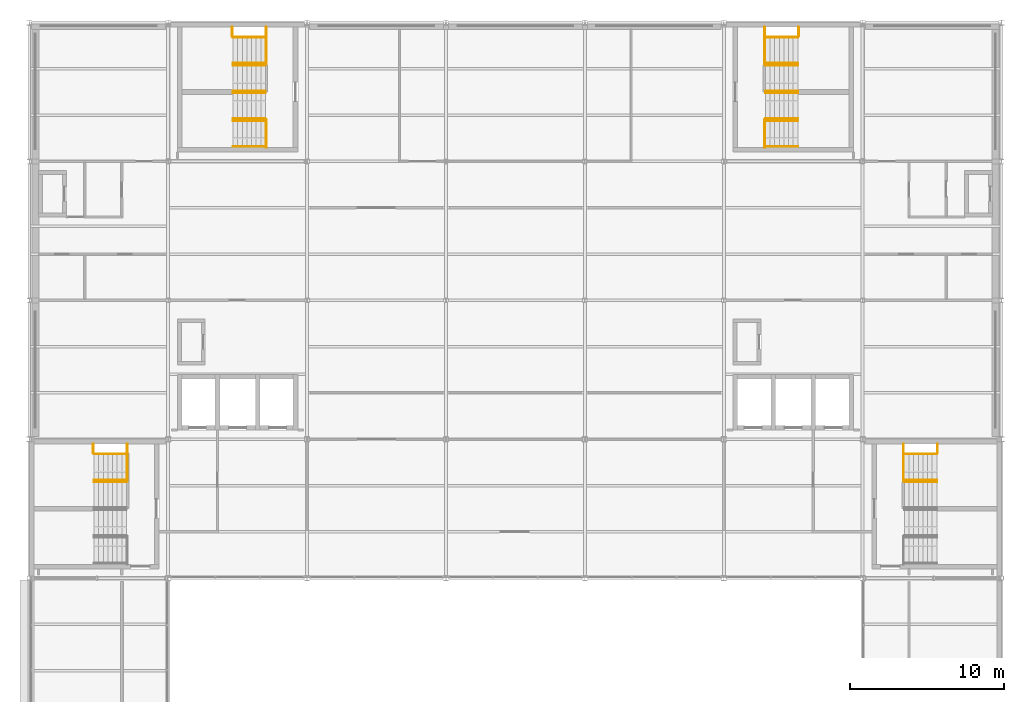
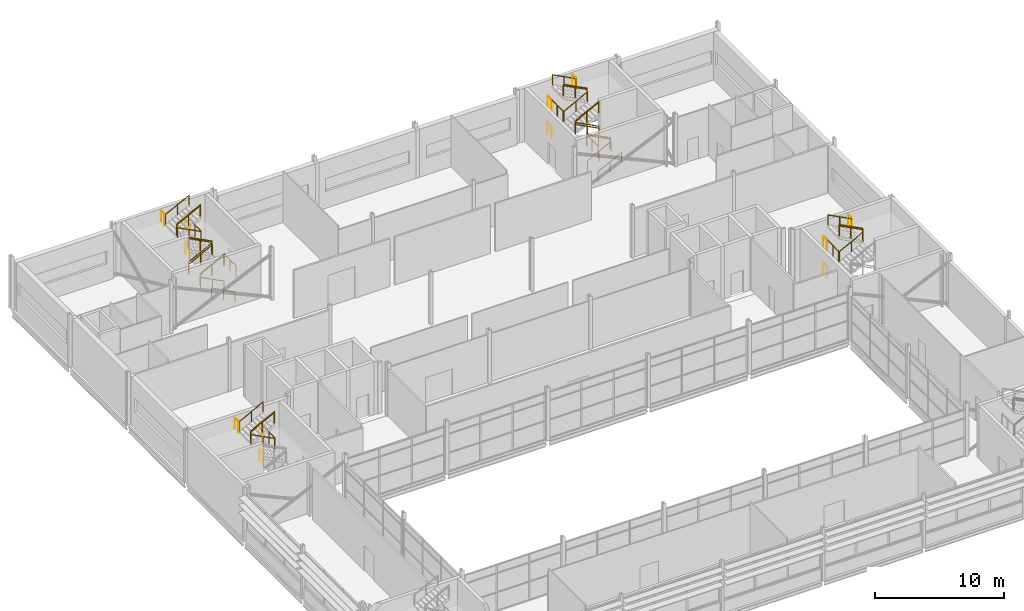
# One storey, part 61 of 61: 50 railings.
"""IFC4 building model written with IfcOpenShell, lengths in metres."""

from ifc_helpers import new_model, si_unit, direction, frame, origin, origin_2d, place, context, subcontext, project, spatial, circle, extrude, material, type_object, element, save


model = new_model("IFC4")

# Units and contexts
model_context = context("Model", 3, precision=1e-05, world=origin(), true_north=direction((0.0, 1.0)))
body_context = subcontext(model_context, "Body", "Model", "MODEL_VIEW")
ifc_project = project(units=[si_unit("LENGTHUNIT", "METRE"), si_unit("AREAUNIT", "SQUARE_METRE"), si_unit("VOLUMEUNIT", "CUBIC_METRE"), si_unit("PLANEANGLEUNIT", "RADIAN"), si_unit("MASSUNIT", "GRAM", prefix="KILO")], contexts=[model_context])

# Site, building, storey
site_placement = place(None, origin())
site = spatial("IfcSite", under=ifc_project, at=site_placement, CompositionType="ELEMENT")
building_placement = place(site_placement, origin())
building = spatial("IfcBuilding", under=site, at=building_placement, Name="Shorebreak Coast Museum", CompositionType="ELEMENT")
storey_placement = place(building_placement, frame((0.0, 0.0, 26.0)))
storey = spatial("IfcBuildingStorey", under=building, at=storey_placement, Name="L04", CompositionType="ELEMENT", Elevation=26.0)

# Railings
ifc_material_1 = material(Name="Steel Grade 300", Category="steel")
railing_type_1 = type_object("IfcRailingType", Name="Stair guard 1100", PredefinedType="GUARDRAIL", material=ifc_material_1)
railing_1_placement = place(storey_placement, frame((60.35009765625, 87.300048828125, 2.5)))
element("IfcRailing", 1, at=railing_1_placement, inside=storey, type_object=railing_type_1, Name="Guard ST03 L04 landing mid1", PredefinedType="GUARDRAIL", context=body_context, shape_type="SweptSolid", body=[
    extrude(circle(Radius=0.02490234375, at=origin_2d()), frame((0.0, 0.0, 1.0751953125), z_axis=(0.0, 1.0, 0.0), x_axis=(-1.0, 0.0, 0.0)), (0.0, 0.0, 1.0), 1.800048828125),
    extrude(circle(Radius=0.02001953125, at=origin_2d()), origin(), (0.0, 0.0, 1.0), 1.050048828125),
    extrude(circle(Radius=0.02001953125, at=origin_2d()), frame((0.0, 0.89990234375, 0.0)), (0.0, 0.0, 1.0), 1.050048828125),
    extrude(circle(Radius=0.02001953125, at=origin_2d()), frame((0.0, 1.800048828125, 0.0)), (0.0, 0.0, 1.0), 1.050048828125),
])
for number, where, name in (
    (2, (60.35009765625, 89.10009765625, 0.0), "Guard ST03 L04 landing strip"),
    (3, (60.35009765625, 89.10009765625, 2.5), "Guard ST03 L04 landing strip"),
    (4, (58.14990234375, 89.10009765625, 3.75), "Guard ST03 L04 landing strip"),
):
    element("IfcRailing", number, at=place(storey_placement, frame(where)), inside=storey, type_object=railing_type_1, Name=name, PredefinedType="GUARDRAIL", context=body_context, shape_type="SweptSolid", body=[
        extrude(circle(Radius=0.02490234375, at=origin_2d()), frame((0.0, 0.0, 1.0751953125), z_axis=(0.0, 1.0, 0.0), x_axis=(-1.0, 0.0, 0.0)), (0.0, 0.0, 1.0), 0.599853515625),
        extrude(circle(Radius=0.02001953125, at=origin_2d()), origin(), (0.0, 0.0, 1.0), 1.050048828125),
        extrude(circle(Radius=0.02001953125, at=origin_2d()), frame((0.0, 0.599853515625, 0.0)), (0.0, 0.0, 1.0), 1.050048828125),
    ])
railing_2_placement = place(storey_placement, frame((58.199951171875, 87.300048828125, 3.90625)))
element("IfcRailing", 5, at=railing_2_placement, inside=storey, type_object=railing_type_1, Name="Guard ST03-L04 well 2", PredefinedType="GUARDRAIL", context=body_context, shape_type="SweptSolid", body=[
    extrude(circle(Radius=0.02490234375, at=origin_2d()), frame((0.0, 0.0, 1.0751953125), z_axis=(0.8869228845, 0.0, 0.461917521804), x_axis=(0.0, 1.0, 0.0)), (0.0, 0.0, 1.0), 2.367919921875),
    extrude(circle(Radius=0.02001953125, at=origin_2d()), origin(), (0.0, 0.0, 1.0), 1.050048828125),
    extrude(circle(Radius=0.02001953125, at=origin_2d()), frame((1.050048828125, 0.0, 0.546875)), (0.0, 0.0, 1.0), 1.050048828125),
    extrude(circle(Radius=0.02001953125, at=origin_2d()), frame((2.10009765625, 0.0, 1.09375)), (0.0, 0.0, 1.0), 1.050048828125),
])
railing_3_placement = place(storey_placement, frame((110.64990234375, 87.300048828125, 2.5)))
element("IfcRailing", 6, at=railing_3_placement, inside=storey, type_object=railing_type_1, Name="Guard ST04 L04 landing mid1", PredefinedType="GUARDRAIL", context=body_context, shape_type="SweptSolid", body=[
    extrude(circle(Radius=0.02490234375, at=origin_2d()), frame((0.0, 0.0, 1.0751953125), z_axis=(0.0, 1.0, 0.0), x_axis=(-1.0, 0.0, 0.0)), (0.0, 0.0, 1.0), 1.800048828125),
    extrude(circle(Radius=0.02001953125, at=origin_2d()), origin(), (0.0, 0.0, 1.0), 1.050048828125),
    extrude(circle(Radius=0.02001953125, at=origin_2d()), frame((0.0, 0.89990234375, 0.0)), (0.0, 0.0, 1.0), 1.050048828125),
    extrude(circle(Radius=0.02001953125, at=origin_2d()), frame((0.0, 1.800048828125, 0.0)), (0.0, 0.0, 1.0), 1.050048828125),
])
for number, where, name in (
    (7, (110.64990234375, 89.10009765625, 0.0), "Guard ST04 L04 landing strip"),
    (8, (110.64990234375, 89.10009765625, 2.5), "Guard ST04 L04 landing strip"),
    (9, (112.85009765625, 89.10009765625, 3.75), "Guard ST04 L04 landing strip"),
):
    element("IfcRailing", number, at=place(storey_placement, frame(where)), inside=storey, type_object=railing_type_1, Name=name, PredefinedType="GUARDRAIL", context=body_context, shape_type="SweptSolid", body=[
        extrude(circle(Radius=0.02490234375, at=origin_2d()), frame((0.0, 0.0, 1.0751953125), z_axis=(0.0, 1.0, 0.0), x_axis=(-1.0, 0.0, 0.0)), (0.0, 0.0, 1.0), 0.599853515625),
        extrude(circle(Radius=0.02001953125, at=origin_2d()), origin(), (0.0, 0.0, 1.0), 1.050048828125),
        extrude(circle(Radius=0.02001953125, at=origin_2d()), frame((0.0, 0.599853515625, 0.0)), (0.0, 0.0, 1.0), 1.050048828125),
    ])
railing_4_placement = place(storey_placement, frame((112.800048828125, 87.300048828125, 3.90625)))
element("IfcRailing", 10, at=railing_4_placement, inside=storey, type_object=railing_type_1, Name="Guard ST04-L04 well 2", PredefinedType="GUARDRAIL", context=body_context, shape_type="SweptSolid", body=[
    extrude(circle(Radius=0.02490234375, at=origin_2d()), frame((0.0, 0.0, 1.0751953125), z_axis=(-0.8869228845, 0.0, 0.461917521804), x_axis=(0.0, -1.0, 0.0)), (0.0, 0.0, 1.0), 2.367919921875),
    extrude(circle(Radius=0.02001953125, at=origin_2d()), origin(), (0.0, 0.0, 1.0), 1.050048828125),
    extrude(circle(Radius=0.02001953125, at=origin_2d()), frame((-1.050048828125, 0.0, 0.546875)), (0.0, 0.0, 1.0), 1.050048828125),
    extrude(circle(Radius=0.02001953125, at=origin_2d()), frame((-2.10009765625, 0.0, 1.09375)), (0.0, 0.0, 1.0), 1.050048828125),
])
for number, where, name in (
    (11, (69.35009765625, 108.89990234375, 2.5), "Guard ST09 L04 landing mid1"),
    (12, (69.35009765625, 114.300048828125, 2.5), "Guard ST09 L04 landing mid1"),
):
    element("IfcRailing", number, at=place(storey_placement, frame(where)), inside=storey, type_object=railing_type_1, Name=name, PredefinedType="GUARDRAIL", context=body_context, shape_type="SweptSolid", body=[
        extrude(circle(Radius=0.02490234375, at=origin_2d()), frame((0.0, 0.0, 1.0751953125), z_axis=(0.0, 1.0, 0.0), x_axis=(-1.0, 0.0, 0.0)), (0.0, 0.0, 1.0), 1.800048828125),
        extrude(circle(Radius=0.02001953125, at=origin_2d()), origin(), (0.0, 0.0, 1.0), 1.050048828125),
        extrude(circle(Radius=0.02001953125, at=origin_2d()), frame((0.0, 0.89990234375, 0.0)), (0.0, 0.0, 1.0), 1.050048828125),
        extrude(circle(Radius=0.02001953125, at=origin_2d()), frame((0.0, 1.800048828125, 0.0)), (0.0, 0.0, 1.0), 1.050048828125),
    ])
for number, where, name in (
    (13, (69.35009765625, 116.10009765625, 0.0), "Guard ST09 L04 landing strip"),
    (14, (69.35009765625, 116.10009765625, 2.5), "Guard ST09 L04 landing strip"),
    (15, (67.14990234375, 116.10009765625, 3.75), "Guard ST09 L04 landing strip"),
):
    element("IfcRailing", number, at=place(storey_placement, frame(where)), inside=storey, type_object=railing_type_1, Name=name, PredefinedType="GUARDRAIL", context=body_context, shape_type="SweptSolid", body=[
        extrude(circle(Radius=0.02490234375, at=origin_2d()), frame((0.0, 0.0, 1.0751953125), z_axis=(0.0, 1.0, 0.0), x_axis=(-1.0, 0.0, 0.0)), (0.0, 0.0, 1.0), 0.599853515625),
        extrude(circle(Radius=0.02001953125, at=origin_2d()), origin(), (0.0, 0.0, 1.0), 1.050048828125),
        extrude(circle(Radius=0.02001953125, at=origin_2d()), frame((0.0, 0.599853515625, 0.0)), (0.0, 0.0, 1.0), 1.050048828125),
    ])
for number, where, name in (
    (16, (67.199951171875, 110.699951171875, 1.40625), "Guard ST09-L04 well 1"),
    (17, (67.199951171875, 114.300048828125, 3.90625), "Guard ST09-L04 well 2"),
    (18, (67.199951171875, 112.5, 1.40625), "Guard ST09-L04 side 1"),
):
    element("IfcRailing", number, at=place(storey_placement, frame(where)), inside=storey, type_object=railing_type_1, Name=name, PredefinedType="GUARDRAIL", context=body_context, shape_type="SweptSolid", body=[
        extrude(circle(Radius=0.02490234375, at=origin_2d()), frame((0.0, 0.0, 1.0751953125), z_axis=(0.8869228845, 0.0, 0.461917521804), x_axis=(0.0, 1.0, 0.0)), (0.0, 0.0, 1.0), 2.367919921875),
        extrude(circle(Radius=0.02001953125, at=origin_2d()), origin(), (0.0, 0.0, 1.0), 1.050048828125),
        extrude(circle(Radius=0.02001953125, at=origin_2d()), frame((1.050048828125, 0.0, 0.546875)), (0.0, 0.0, 1.0), 1.050048828125),
        extrude(circle(Radius=0.02001953125, at=origin_2d()), frame((2.10009765625, 0.0, 1.09375)), (0.0, 0.0, 1.0), 1.050048828125),
    ])
railing_5_placement = place(storey_placement, frame((69.300048828125, 112.5, 2.65625)))
element("IfcRailing", 19, at=railing_5_placement, inside=storey, type_object=railing_type_1, Name="Guard ST09-L04 side 2", PredefinedType="GUARDRAIL", context=body_context, shape_type="SweptSolid", body=[
    extrude(circle(Radius=0.02490234375, at=origin_2d()), frame((0.0, 0.0, 1.0751953125), z_axis=(-0.8869228845, 0.0, 0.461917521804), x_axis=(0.0, -1.0, 0.0)), (0.0, 0.0, 1.0), 2.367919921875),
    extrude(circle(Radius=0.02001953125, at=origin_2d()), origin(), (0.0, 0.0, 1.0), 1.050048828125),
    extrude(circle(Radius=0.02001953125, at=origin_2d()), frame((-1.050048828125, 0.0, 0.546875)), (0.0, 0.0, 1.0), 1.050048828125),
    extrude(circle(Radius=0.02001953125, at=origin_2d()), frame((-2.10009765625, 0.0, 1.09375)), (0.0, 0.0, 1.0), 1.050048828125),
])
for number, where, name in (
    (20, (101.64990234375, 108.89990234375, 2.5), "Guard ST10 L04 landing mid1"),
    (21, (101.64990234375, 114.300048828125, 2.5), "Guard ST10 L04 landing mid1"),
):
    element("IfcRailing", number, at=place(storey_placement, frame(where)), inside=storey, type_object=railing_type_1, Name=name, PredefinedType="GUARDRAIL", context=body_context, shape_type="SweptSolid", body=[
        extrude(circle(Radius=0.02490234375, at=origin_2d()), frame((0.0, 0.0, 1.0751953125), z_axis=(0.0, 1.0, 0.0), x_axis=(-1.0, 0.0, 0.0)), (0.0, 0.0, 1.0), 1.800048828125),
        extrude(circle(Radius=0.02001953125, at=origin_2d()), origin(), (0.0, 0.0, 1.0), 1.050048828125),
        extrude(circle(Radius=0.02001953125, at=origin_2d()), frame((0.0, 0.89990234375, 0.0)), (0.0, 0.0, 1.0), 1.050048828125),
        extrude(circle(Radius=0.02001953125, at=origin_2d()), frame((0.0, 1.800048828125, 0.0)), (0.0, 0.0, 1.0), 1.050048828125),
    ])
for number, where, name in (
    (22, (101.64990234375, 116.10009765625, 0.0), "Guard ST10 L04 landing strip"),
    (23, (101.64990234375, 116.10009765625, 2.5), "Guard ST10 L04 landing strip"),
    (24, (103.85009765625, 116.10009765625, 3.75), "Guard ST10 L04 landing strip"),
):
    element("IfcRailing", number, at=place(storey_placement, frame(where)), inside=storey, type_object=railing_type_1, Name=name, PredefinedType="GUARDRAIL", context=body_context, shape_type="SweptSolid", body=[
        extrude(circle(Radius=0.02490234375, at=origin_2d()), frame((0.0, 0.0, 1.0751953125), z_axis=(0.0, 1.0, 0.0), x_axis=(-1.0, 0.0, 0.0)), (0.0, 0.0, 1.0), 0.599853515625),
        extrude(circle(Radius=0.02001953125, at=origin_2d()), origin(), (0.0, 0.0, 1.0), 1.050048828125),
        extrude(circle(Radius=0.02001953125, at=origin_2d()), frame((0.0, 0.599853515625, 0.0)), (0.0, 0.0, 1.0), 1.050048828125),
    ])
for number, where, name in (
    (25, (103.800048828125, 110.699951171875, 1.40625), "Guard ST10-L04 well 1"),
    (26, (103.800048828125, 114.300048828125, 3.90625), "Guard ST10-L04 well 2"),
    (27, (103.800048828125, 112.5, 1.40625), "Guard ST10-L04 side 1"),
):
    element("IfcRailing", number, at=place(storey_placement, frame(where)), inside=storey, type_object=railing_type_1, Name=name, PredefinedType="GUARDRAIL", context=body_context, shape_type="SweptSolid", body=[
        extrude(circle(Radius=0.02490234375, at=origin_2d()), frame((0.0, 0.0, 1.0751953125), z_axis=(-0.8869228845, 0.0, 0.461917521804), x_axis=(0.0, -1.0, 0.0)), (0.0, 0.0, 1.0), 2.367919921875),
        extrude(circle(Radius=0.02001953125, at=origin_2d()), origin(), (0.0, 0.0, 1.0), 1.050048828125),
        extrude(circle(Radius=0.02001953125, at=origin_2d()), frame((-1.050048828125, 0.0, 0.546875)), (0.0, 0.0, 1.0), 1.050048828125),
        extrude(circle(Radius=0.02001953125, at=origin_2d()), frame((-2.10009765625, 0.0, 1.09375)), (0.0, 0.0, 1.0), 1.050048828125),
    ])
railing_6_placement = place(storey_placement, frame((101.699951171875, 112.5, 2.65625)))
element("IfcRailing", 28, at=railing_6_placement, inside=storey, type_object=railing_type_1, Name="Guard ST10-L04 side 2", PredefinedType="GUARDRAIL", context=body_context, shape_type="SweptSolid", body=[
    extrude(circle(Radius=0.02490234375, at=origin_2d()), frame((0.0, 0.0, 1.0751953125), z_axis=(0.8869228845, 0.0, 0.461917521804), x_axis=(0.0, 1.0, 0.0)), (0.0, 0.0, 1.0), 2.367919921875),
    extrude(circle(Radius=0.02001953125, at=origin_2d()), origin(), (0.0, 0.0, 1.0), 1.050048828125),
    extrude(circle(Radius=0.02001953125, at=origin_2d()), frame((1.050048828125, 0.0, 0.546875)), (0.0, 0.0, 1.0), 1.050048828125),
    extrude(circle(Radius=0.02001953125, at=origin_2d()), frame((2.10009765625, 0.0, 1.09375)), (0.0, 0.0, 1.0), 1.050048828125),
])
ifc_material_2 = material(Name="Steel Grade 300", Category="steel")
railing_type_2 = type_object("IfcRailingType", Name="Stair handrail 950", PredefinedType="HANDRAIL", material=ifc_material_2)
railing_7_placement = place(storey_placement, frame((60.300048828125, 87.239990234375, 2.65625)))
element("IfcRailing", 29, at=railing_7_placement, inside=storey, type_object=railing_type_2, Name="Handrail ST03-L04 flight 3b", PredefinedType="HANDRAIL", context=body_context, shape_type="SweptSolid", body=[
    extrude(circle(Radius=0.02490234375, at=origin_2d()), frame((0.0, 0.0, 0.9248046875), z_axis=(-0.8869228845, 0.0, 0.461917521804), x_axis=(0.0, -1.0, 0.0)), (0.0, 0.0, 1.0), 2.367919921875),
    extrude(circle(Radius=0.02001953125, at=origin_2d()), origin(), (0.0, 0.0, 1.0), 0.89990234375),
    extrude(circle(Radius=0.02001953125, at=origin_2d()), frame((-1.050048828125, 0.0, 0.546875)), (0.0, 0.0, 1.0), 0.89990234375),
    extrude(circle(Radius=0.02001953125, at=origin_2d()), frame((-2.10009765625, 0.0, 1.09375)), (0.0, 0.0, 1.0), 0.89990234375),
])
for number, where, name in (
    (30, (58.199951171875, 87.360107421875, 3.90625), "Handrail ST03-L04 flight 4a"),
    (31, (58.199951171875, 89.0400390625, 3.90625), "Handrail ST03-L04 flight 4b"),
    (32, (110.699951171875, 87.239990234375, 2.65625), "Handrail ST04-L04 flight 3b"),
):
    element("IfcRailing", number, at=place(storey_placement, frame(where)), inside=storey, type_object=railing_type_2, Name=name, PredefinedType="HANDRAIL", context=body_context, shape_type="SweptSolid", body=[
        extrude(circle(Radius=0.02490234375, at=origin_2d()), frame((0.0, 0.0, 0.9248046875), z_axis=(0.8869228845, 0.0, 0.461917521804), x_axis=(0.0, 1.0, 0.0)), (0.0, 0.0, 1.0), 2.367919921875),
        extrude(circle(Radius=0.02001953125, at=origin_2d()), origin(), (0.0, 0.0, 1.0), 0.89990234375),
        extrude(circle(Radius=0.02001953125, at=origin_2d()), frame((1.050048828125, 0.0, 0.546875)), (0.0, 0.0, 1.0), 0.89990234375),
        extrude(circle(Radius=0.02001953125, at=origin_2d()), frame((2.10009765625, 0.0, 1.09375)), (0.0, 0.0, 1.0), 0.89990234375),
    ])
for number, where, name in (
    (33, (112.800048828125, 87.360107421875, 3.90625), "Handrail ST04-L04 flight 4a"),
    (34, (112.800048828125, 89.0400390625, 3.90625), "Handrail ST04-L04 flight 4b"),
    (35, (69.300048828125, 108.9599609375, 0.15625), "Handrail ST09-L04 flight 1a"),
    (36, (69.300048828125, 110.639892578125, 0.15625), "Handrail ST09-L04 flight 1b"),
):
    element("IfcRailing", number, at=place(storey_placement, frame(where)), inside=storey, type_object=railing_type_2, Name=name, PredefinedType="HANDRAIL", context=body_context, shape_type="SweptSolid", body=[
        extrude(circle(Radius=0.02490234375, at=origin_2d()), frame((0.0, 0.0, 0.9248046875), z_axis=(-0.8869228845, 0.0, 0.461917521804), x_axis=(0.0, -1.0, 0.0)), (0.0, 0.0, 1.0), 2.367919921875),
        extrude(circle(Radius=0.02001953125, at=origin_2d()), origin(), (0.0, 0.0, 1.0), 0.89990234375),
        extrude(circle(Radius=0.02001953125, at=origin_2d()), frame((-1.050048828125, 0.0, 0.546875)), (0.0, 0.0, 1.0), 0.89990234375),
        extrude(circle(Radius=0.02001953125, at=origin_2d()), frame((-2.10009765625, 0.0, 1.09375)), (0.0, 0.0, 1.0), 0.89990234375),
    ])
for number, where, name in (
    (37, (67.199951171875, 110.760009765625, 1.40625), "Handrail ST09-L04 flight 2a"),
    (38, (67.199951171875, 112.43994140625, 1.40625), "Handrail ST09-L04 flight 2b"),
):
    element("IfcRailing", number, at=place(storey_placement, frame(where)), inside=storey, type_object=railing_type_2, Name=name, PredefinedType="HANDRAIL", context=body_context, shape_type="SweptSolid", body=[
        extrude(circle(Radius=0.02490234375, at=origin_2d()), frame((0.0, 0.0, 0.9248046875), z_axis=(0.8869228845, 0.0, 0.461917521804), x_axis=(0.0, 1.0, 0.0)), (0.0, 0.0, 1.0), 2.367919921875),
        extrude(circle(Radius=0.02001953125, at=origin_2d()), origin(), (0.0, 0.0, 1.0), 0.89990234375),
        extrude(circle(Radius=0.02001953125, at=origin_2d()), frame((1.050048828125, 0.0, 0.546875)), (0.0, 0.0, 1.0), 0.89990234375),
        extrude(circle(Radius=0.02001953125, at=origin_2d()), frame((2.10009765625, 0.0, 1.09375)), (0.0, 0.0, 1.0), 0.89990234375),
    ])
for number, where, name in (
    (39, (69.300048828125, 112.56005859375, 2.65625), "Handrail ST09-L04 flight 3a"),
    (40, (69.300048828125, 114.239990234375, 2.65625), "Handrail ST09-L04 flight 3b"),
):
    element("IfcRailing", number, at=place(storey_placement, frame(where)), inside=storey, type_object=railing_type_2, Name=name, PredefinedType="HANDRAIL", context=body_context, shape_type="SweptSolid", body=[
        extrude(circle(Radius=0.02490234375, at=origin_2d()), frame((0.0, 0.0, 0.9248046875), z_axis=(-0.8869228845, 0.0, 0.461917521804), x_axis=(0.0, -1.0, 0.0)), (0.0, 0.0, 1.0), 2.367919921875),
        extrude(circle(Radius=0.02001953125, at=origin_2d()), origin(), (0.0, 0.0, 1.0), 0.89990234375),
        extrude(circle(Radius=0.02001953125, at=origin_2d()), frame((-1.050048828125, 0.0, 0.546875)), (0.0, 0.0, 1.0), 0.89990234375),
        extrude(circle(Radius=0.02001953125, at=origin_2d()), frame((-2.10009765625, 0.0, 1.09375)), (0.0, 0.0, 1.0), 0.89990234375),
    ])
for number, where, name in (
    (41, (67.199951171875, 114.360107421875, 3.90625), "Handrail ST09-L04 flight 4a"),
    (42, (67.199951171875, 116.0400390625, 3.90625), "Handrail ST09-L04 flight 4b"),
    (43, (101.699951171875, 108.9599609375, 0.15625), "Handrail ST10-L04 flight 1a"),
    (44, (101.699951171875, 110.639892578125, 0.15625), "Handrail ST10-L04 flight 1b"),
):
    element("IfcRailing", number, at=place(storey_placement, frame(where)), inside=storey, type_object=railing_type_2, Name=name, PredefinedType="HANDRAIL", context=body_context, shape_type="SweptSolid", body=[
        extrude(circle(Radius=0.02490234375, at=origin_2d()), frame((0.0, 0.0, 0.9248046875), z_axis=(0.8869228845, 0.0, 0.461917521804), x_axis=(0.0, 1.0, 0.0)), (0.0, 0.0, 1.0), 2.367919921875),
        extrude(circle(Radius=0.02001953125, at=origin_2d()), origin(), (0.0, 0.0, 1.0), 0.89990234375),
        extrude(circle(Radius=0.02001953125, at=origin_2d()), frame((1.050048828125, 0.0, 0.546875)), (0.0, 0.0, 1.0), 0.89990234375),
        extrude(circle(Radius=0.02001953125, at=origin_2d()), frame((2.10009765625, 0.0, 1.09375)), (0.0, 0.0, 1.0), 0.89990234375),
    ])
for number, where, name in (
    (45, (103.800048828125, 110.760009765625, 1.40625), "Handrail ST10-L04 flight 2a"),
    (46, (103.800048828125, 112.43994140625, 1.40625), "Handrail ST10-L04 flight 2b"),
):
    element("IfcRailing", number, at=place(storey_placement, frame(where)), inside=storey, type_object=railing_type_2, Name=name, PredefinedType="HANDRAIL", context=body_context, shape_type="SweptSolid", body=[
        extrude(circle(Radius=0.02490234375, at=origin_2d()), frame((0.0, 0.0, 0.9248046875), z_axis=(-0.8869228845, 0.0, 0.461917521804), x_axis=(0.0, -1.0, 0.0)), (0.0, 0.0, 1.0), 2.367919921875),
        extrude(circle(Radius=0.02001953125, at=origin_2d()), origin(), (0.0, 0.0, 1.0), 0.89990234375),
        extrude(circle(Radius=0.02001953125, at=origin_2d()), frame((-1.050048828125, 0.0, 0.546875)), (0.0, 0.0, 1.0), 0.89990234375),
        extrude(circle(Radius=0.02001953125, at=origin_2d()), frame((-2.10009765625, 0.0, 1.09375)), (0.0, 0.0, 1.0), 0.89990234375),
    ])
for number, where, name in (
    (47, (101.699951171875, 112.56005859375, 2.65625), "Handrail ST10-L04 flight 3a"),
    (48, (101.699951171875, 114.239990234375, 2.65625), "Handrail ST10-L04 flight 3b"),
):
    element("IfcRailing", number, at=place(storey_placement, frame(where)), inside=storey, type_object=railing_type_2, Name=name, PredefinedType="HANDRAIL", context=body_context, shape_type="SweptSolid", body=[
        extrude(circle(Radius=0.02490234375, at=origin_2d()), frame((0.0, 0.0, 0.9248046875), z_axis=(0.8869228845, 0.0, 0.461917521804), x_axis=(0.0, 1.0, 0.0)), (0.0, 0.0, 1.0), 2.367919921875),
        extrude(circle(Radius=0.02001953125, at=origin_2d()), origin(), (0.0, 0.0, 1.0), 0.89990234375),
        extrude(circle(Radius=0.02001953125, at=origin_2d()), frame((1.050048828125, 0.0, 0.546875)), (0.0, 0.0, 1.0), 0.89990234375),
        extrude(circle(Radius=0.02001953125, at=origin_2d()), frame((2.10009765625, 0.0, 1.09375)), (0.0, 0.0, 1.0), 0.89990234375),
    ])
for number, where, name in (
    (49, (103.800048828125, 114.360107421875, 3.90625), "Handrail ST10-L04 flight 4a"),
    (50, (103.800048828125, 116.0400390625, 3.90625), "Handrail ST10-L04 flight 4b"),
):
    element("IfcRailing", number, at=place(storey_placement, frame(where)), inside=storey, type_object=railing_type_2, Name=name, PredefinedType="HANDRAIL", context=body_context, shape_type="SweptSolid", body=[
        extrude(circle(Radius=0.02490234375, at=origin_2d()), frame((0.0, 0.0, 0.9248046875), z_axis=(-0.8869228845, 0.0, 0.461917521804), x_axis=(0.0, -1.0, 0.0)), (0.0, 0.0, 1.0), 2.367919921875),
        extrude(circle(Radius=0.02001953125, at=origin_2d()), origin(), (0.0, 0.0, 1.0), 0.89990234375),
        extrude(circle(Radius=0.02001953125, at=origin_2d()), frame((-1.050048828125, 0.0, 0.546875)), (0.0, 0.0, 1.0), 0.89990234375),
        extrude(circle(Radius=0.02001953125, at=origin_2d()), frame((-2.10009765625, 0.0, 1.09375)), (0.0, 0.0, 1.0), 0.89990234375),
    ])

save(model, "model.ifc")
